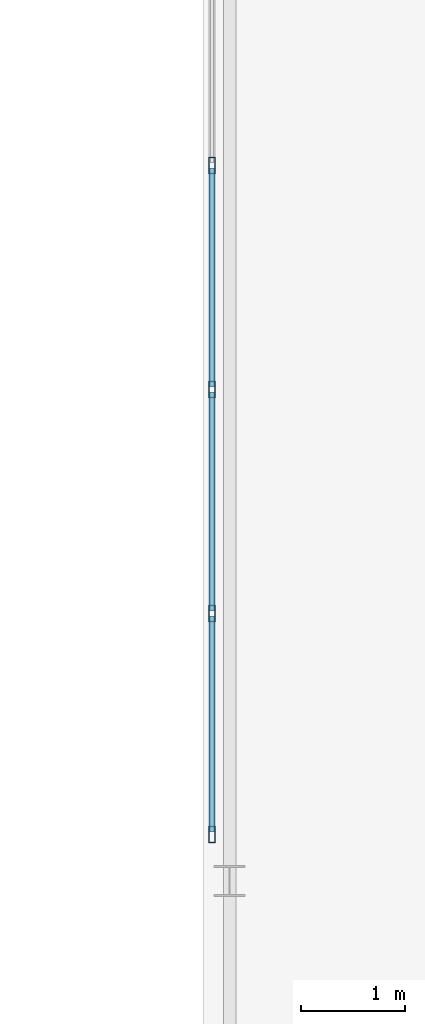
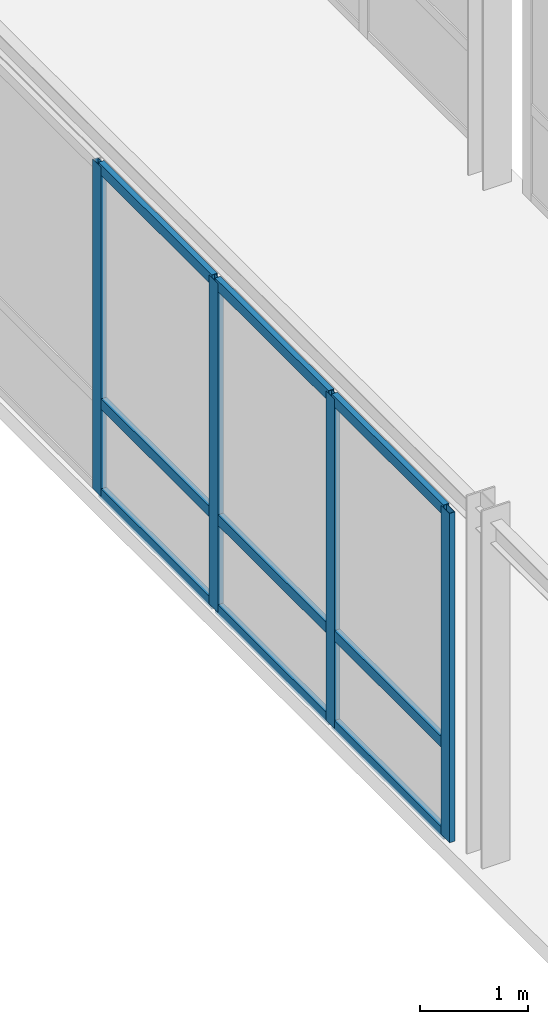
# One storey, part 40 of 165: 13 members, 1 element without a shape of its own.
"""IFC4 building model written with IfcOpenShell, lengths in metres."""

from ifc_helpers import new_model, si_unit, direction, frame, origin, origin_2d, place, context, subcontext, project, spatial, hollow_rectangle, extrude, material, layer, layer_set, material_profile, profile_set, type_object, element, aggregate, save


model = new_model("IFC4")

# Units and contexts
model_context = context("Model", 3, precision=1e-05, world=origin(), true_north=direction((0.0, 1.0)))
body_context = subcontext(model_context, "Body", "Model", "MODEL_VIEW")
ifc_project = project(units=[si_unit("LENGTHUNIT", "METRE"), si_unit("AREAUNIT", "SQUARE_METRE"), si_unit("VOLUMEUNIT", "CUBIC_METRE"), si_unit("PLANEANGLEUNIT", "RADIAN"), si_unit("MASSUNIT", "GRAM", prefix="KILO")], contexts=[model_context])

# Site, building, storey
site_placement = place(None, origin())
site = spatial("IfcSite", under=ifc_project, at=site_placement, CompositionType="ELEMENT")
building_placement = place(site_placement, origin())
building = spatial("IfcBuilding", under=site, at=building_placement, Name="Montecoro Central Library", CompositionType="ELEMENT")
storey_placement = place(building_placement, frame((0.0, 0.0, 5.10009765625)))
storey = spatial("IfcBuildingStorey", under=building, at=storey_placement, Name="L01", CompositionType="ELEMENT", Elevation=5.10009765625)

# Curtain wall, members
ifc_material_1 = material(Name="Bronze-anodised aluminium and low-E glazing", Category="aluminium")
ifc_layer = layer(ifc_material_1, 0.159912109375)
ifc_layer_set = layer_set([ifc_layer], Name="Bronze-anodised aluminium and low-E glazing")
curtain_wall_type = type_object("IfcCurtainWallType", Name="CWT-079", PredefinedType="NOTDEFINED", material=ifc_layer_set)
curtain_wall_placement = place(storey_placement, origin())
curtain_wall = element("IfcCurtainWall", 1, at=curtain_wall_placement, inside=storey, type_object=curtain_wall_type, Name="BR-W-L01-CW-W1", PredefinedType="NOTDEFINED")
ifc_material_2 = material(Name="Bronze-anodised aluminium", Category="aluminium")
ifc_material_profile_1 = material_profile(ifc_material_2, hollow_rectangle(XDim=0.06005859375, YDim=0.159912109375, WallThickness=0.00390625, at=origin_2d()), Name="CWM 160x60x4.0")
ifc_profile_set_1 = profile_set([ifc_material_profile_1], Name="Bronze-anodised aluminium")
member_type_1 = type_object("IfcMemberType", Name="CWM-BRZ-60", PredefinedType="MULLION", material=ifc_profile_set_1)
member_1_placement = place(storey_placement, frame((24.8798828125, 45.35009765625, 0.0), z_axis=(0.0, 0.0, 1.0), x_axis=(-1.0, 0.0, 0.0)))
member_1 = element("IfcMember", 2, at=member_1_placement, type_object=member_type_1, Name="CW-079 mullion 1", PredefinedType="MULLION", context=body_context, shape_type="SweptSolid", body=[
    extrude(hollow_rectangle(XDim=0.06005859375, YDim=0.159912109375, WallThickness=0.00390625, at=origin_2d()), origin(), (0.0, 0.0, 1.0), 3.72998046875),
])
member_2_placement = place(storey_placement, frame((24.8798828125, 47.485107421875, 0.0), z_axis=(0.0, 0.0, 1.0), x_axis=(-1.0, 0.0, 0.0)))
member_2 = element("IfcMember", 3, at=member_2_placement, type_object=member_type_1, Name="CW-079 mullion 2", PredefinedType="MULLION", context=body_context, shape_type="SweptSolid", body=[
    extrude(hollow_rectangle(XDim=0.06005859375, YDim=0.159912109375, WallThickness=0.00390625, at=origin_2d()), origin(), (0.0, 0.0, 1.0), 3.72998046875),
])
member_3_placement = place(storey_placement, frame((24.8798828125, 49.64990234375, 0.0), z_axis=(0.0, 0.0, 1.0), x_axis=(-1.0, 0.0, 0.0)))
member_3 = element("IfcMember", 4, at=member_3_placement, type_object=member_type_1, Name="CW-079 mullion 3", PredefinedType="MULLION", context=body_context, shape_type="SweptSolid", body=[
    extrude(hollow_rectangle(XDim=0.06005859375, YDim=0.159912109375, WallThickness=0.00390625, at=origin_2d()), origin(), (0.0, 0.0, 1.0), 3.72998046875),
])
member_4_placement = place(storey_placement, frame((24.8798828125, 51.81494140625, 0.0), z_axis=(0.0, 0.0, 1.0), x_axis=(-1.0, 0.0, 0.0)))
member_4 = element("IfcMember", 5, at=member_4_placement, type_object=member_type_1, Name="CW-079 mullion 4", PredefinedType="MULLION", context=body_context, shape_type="SweptSolid", body=[
    extrude(hollow_rectangle(XDim=0.06005859375, YDim=0.159912109375, WallThickness=0.00390625, at=origin_2d()), origin(), (0.0, 0.0, 1.0), 3.72998046875),
])
ifc_material_profile_2 = material_profile(ifc_material_2, hollow_rectangle(XDim=0.06005859375, YDim=0.1201171875, WallThickness=0.00390625, at=origin_2d()), Name="CWT 120x60x4.0")
ifc_profile_set_2 = profile_set([ifc_material_profile_2], Name="Bronze-anodised aluminium")
member_type_2 = type_object("IfcMemberType", Name="CWT-BRZ-60", PredefinedType="USERDEFINED", material=ifc_profile_set_2)
member_5_placement = place(storey_placement, frame((24.8798828125, 45.3798828125, 0.02978515625), z_axis=(0.0, 1.0, 0.0), x_axis=(-1.0, 0.0, 0.0)))
member_5 = element("IfcMember", 6, at=member_5_placement, type_object=member_type_2, Name="CW-079 transom 1.1", ObjectType="TRANSOM", PredefinedType="USERDEFINED", context=body_context, shape_type="SweptSolid", body=[
    extrude(hollow_rectangle(XDim=0.06005859375, YDim=0.1201171875, WallThickness=0.00390625, at=origin_2d()), origin(), (0.0, 0.0, 1.0), 2.0751953125),
])
member_6_placement = place(storey_placement, frame((24.8798828125, 45.3798828125, 1.0498046875), z_axis=(0.0, 1.0, 0.0), x_axis=(-1.0, 0.0, 0.0)))
member_6 = element("IfcMember", 7, at=member_6_placement, type_object=member_type_2, Name="CW-079 transom 1.2", ObjectType="TRANSOM", PredefinedType="USERDEFINED", context=body_context, shape_type="SweptSolid", body=[
    extrude(hollow_rectangle(XDim=0.06005859375, YDim=0.1201171875, WallThickness=0.00390625, at=origin_2d()), origin(), (0.0, 0.0, 1.0), 2.0751953125),
])
member_7_placement = place(storey_placement, frame((24.8798828125, 45.3798828125, 3.699951171875), z_axis=(0.0, 1.0, 0.0), x_axis=(-1.0, 0.0, 0.0)))
member_7 = element("IfcMember", 8, at=member_7_placement, type_object=member_type_2, Name="CW-079 transom 1.3", ObjectType="TRANSOM", PredefinedType="USERDEFINED", context=body_context, shape_type="SweptSolid", body=[
    extrude(hollow_rectangle(XDim=0.06005859375, YDim=0.1201171875, WallThickness=0.00390625, at=origin_2d()), origin(), (0.0, 0.0, 1.0), 2.0751953125),
])
member_8_placement = place(storey_placement, frame((24.8798828125, 47.514892578125, 0.02978515625), z_axis=(0.0, 1.0, 0.0), x_axis=(-1.0, 0.0, 0.0)))
member_8 = element("IfcMember", 9, at=member_8_placement, type_object=member_type_2, Name="CW-079 transom 2.1", ObjectType="TRANSOM", PredefinedType="USERDEFINED", context=body_context, shape_type="SweptSolid", body=[
    extrude(hollow_rectangle(XDim=0.06005859375, YDim=0.1201171875, WallThickness=0.00390625, at=origin_2d()), origin(), (0.0, 0.0, 1.0), 2.105224609375),
])
member_9_placement = place(storey_placement, frame((24.8798828125, 47.514892578125, 1.0498046875), z_axis=(0.0, 1.0, 0.0), x_axis=(-1.0, 0.0, 0.0)))
member_9 = element("IfcMember", 10, at=member_9_placement, type_object=member_type_2, Name="CW-079 transom 2.2", ObjectType="TRANSOM", PredefinedType="USERDEFINED", context=body_context, shape_type="SweptSolid", body=[
    extrude(hollow_rectangle(XDim=0.06005859375, YDim=0.1201171875, WallThickness=0.00390625, at=origin_2d()), origin(), (0.0, 0.0, 1.0), 2.105224609375),
])
member_10_placement = place(storey_placement, frame((24.8798828125, 47.514892578125, 3.699951171875), z_axis=(0.0, 1.0, 0.0), x_axis=(-1.0, 0.0, 0.0)))
member_10 = element("IfcMember", 11, at=member_10_placement, type_object=member_type_2, Name="CW-079 transom 2.3", ObjectType="TRANSOM", PredefinedType="USERDEFINED", context=body_context, shape_type="SweptSolid", body=[
    extrude(hollow_rectangle(XDim=0.06005859375, YDim=0.1201171875, WallThickness=0.00390625, at=origin_2d()), origin(), (0.0, 0.0, 1.0), 2.105224609375),
])
member_11_placement = place(storey_placement, frame((24.8798828125, 49.679931640625, 0.02978515625), z_axis=(0.0, 1.0, 0.0), x_axis=(-1.0, 0.0, 0.0)))
member_11 = element("IfcMember", 12, at=member_11_placement, type_object=member_type_2, Name="CW-079 transom 3.1", ObjectType="TRANSOM", PredefinedType="USERDEFINED", context=body_context, shape_type="SweptSolid", body=[
    extrude(hollow_rectangle(XDim=0.06005859375, YDim=0.1201171875, WallThickness=0.00390625, at=origin_2d()), origin(), (0.0, 0.0, 1.0), 2.10498046875),
])
member_12_placement = place(storey_placement, frame((24.8798828125, 49.679931640625, 1.0498046875), z_axis=(0.0, 1.0, 0.0), x_axis=(-1.0, 0.0, 0.0)))
member_12 = element("IfcMember", 13, at=member_12_placement, type_object=member_type_2, Name="CW-079 transom 3.2", ObjectType="TRANSOM", PredefinedType="USERDEFINED", context=body_context, shape_type="SweptSolid", body=[
    extrude(hollow_rectangle(XDim=0.06005859375, YDim=0.1201171875, WallThickness=0.00390625, at=origin_2d()), origin(), (0.0, 0.0, 1.0), 2.10498046875),
])
member_13_placement = place(storey_placement, frame((24.8798828125, 49.679931640625, 3.699951171875), z_axis=(0.0, 1.0, 0.0), x_axis=(-1.0, 0.0, 0.0)))
member_13 = element("IfcMember", 14, at=member_13_placement, type_object=member_type_2, Name="CW-079 transom 3.3", ObjectType="TRANSOM", PredefinedType="USERDEFINED", context=body_context, shape_type="SweptSolid", body=[
    extrude(hollow_rectangle(XDim=0.06005859375, YDim=0.1201171875, WallThickness=0.00390625, at=origin_2d()), origin(), (0.0, 0.0, 1.0), 2.10498046875),
])
aggregate(curtain_wall, [member_1, member_2, member_3, member_4, member_5, member_6, member_7, member_8, member_9, member_10, member_11, member_12, member_13])

save(model, "model.ifc")
